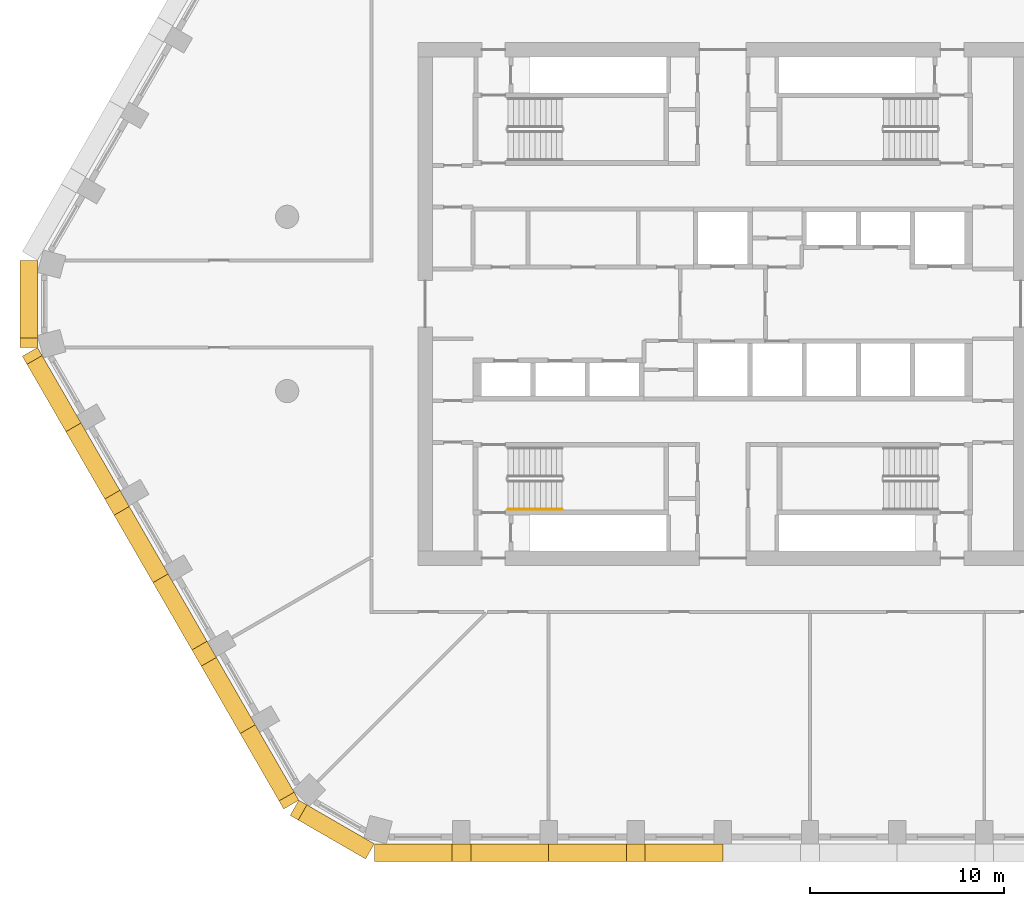
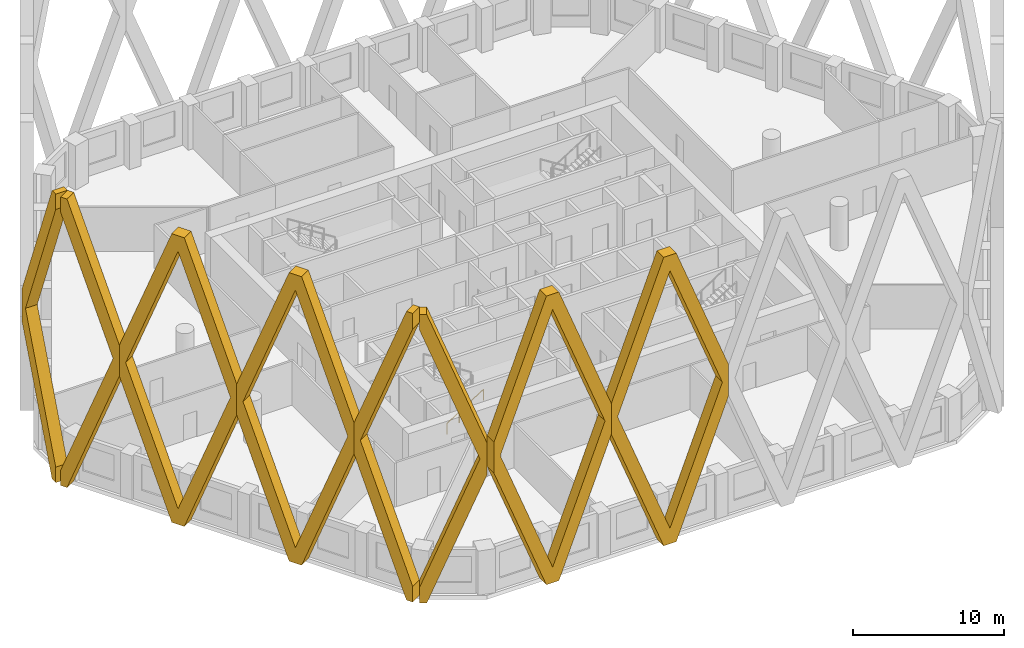
# One storey, part 9 of 17: 8 coverings, 1 railing.
"""IFC4 building model written with IfcOpenShell, lengths in metres."""

from ifc_helpers import new_model, si_unit, direction, frame, origin, origin_2d, place, context, subcontext, project, spatial, polyline, circle, outline, extrude, material, type_object, element, save


model = new_model("IFC4")

# Units and contexts
model_context = context("Model", 3, precision=1e-05, world=origin(), true_north=direction((0.0, 1.0)))
body_context = subcontext(model_context, "Body", "Model", "MODEL_VIEW")
ifc_project = project(units=[si_unit("LENGTHUNIT", "METRE"), si_unit("AREAUNIT", "SQUARE_METRE"), si_unit("VOLUMEUNIT", "CUBIC_METRE"), si_unit("PLANEANGLEUNIT", "RADIAN"), si_unit("MASSUNIT", "GRAM", prefix="KILO")], contexts=[model_context])

# Site, building, storey
site_placement = place(None, origin())
site = spatial("IfcSite", under=ifc_project, at=site_placement, CompositionType="ELEMENT")
building_placement = place(site_placement, origin())
building = spatial("IfcBuilding", under=site, at=building_placement, Name="Dhurran Vertical Campus", CompositionType="ELEMENT")
storey_placement = place(building_placement, frame((0.0, 0.0, 156.0)))
storey = spatial("IfcBuildingStorey", under=building, at=storey_placement, Name="L38", CompositionType="ELEMENT", Elevation=156.0)

# Coverings
ifc_material_1 = material(Name="Precast concrete C50/60", Category="concrete")
covering_type = type_object("IfcCoveringType", Name="Folded precast fin lattice diamond", PredefinedType="USERDEFINED", material=ifc_material_1)
for number, where, z_axis, x_axis, name in (
    (1, (-18.0, -27.8828125, 0.0), (0.0, -1.0, 0.0), (1.0, 0.0, 0.0), "FN1 L38.001"),
    (2, (-9.0, -27.8828125, 0.0), (0.0, -1.0, 0.0), (1.0, 0.0, 0.0), "FN1 L38.002"),
):
    element("IfcCovering", number, at=place(storey_placement, frame(where, z_axis=z_axis, x_axis=x_axis)), inside=storey, type_object=covering_type, Name=name, ObjectType="FIN", PredefinedType="USERDEFINED", context=body_context, shape_type="SweptSolid", body=[
        extrude(outline(polyline([(9.0, 12.95361328125), (9.0, 10.4462890625), (4.982177734375, 0.0), (4.017822265625, 0.0), (0.0, 10.4462890625), (0.0, 12.95361328125), (4.017822265625, 23.39990234375), (4.982177734375, 23.39990234375), (9.0, 12.95361328125)]), holes=[polyline([(8.517822265625, 11.699951171875), (4.5, 22.146484375), (0.482177734375, 11.699951171875), (4.5, 1.253662109375), (8.517822265625, 11.699951171875)])]), origin(), (0.0, 0.0, 1.0), 0.89990234375),
    ])
covering_1_placement = place(storey_placement, frame((-35.397216796875, 2.25, 0.0), z_axis=(-1.0, 0.0, 0.0), x_axis=(0.0, -1.0, 0.0)))
element("IfcCovering", 3, at=covering_1_placement, inside=storey, type_object=covering_type, Name="FN1 L38.024", ObjectType="FIN", PredefinedType="USERDEFINED", context=body_context, shape_type="SweptSolid", body=[
    extrude(outline(polyline([(4.017822265625, 0.0), (0.0, 10.4462890625), (0.0, 12.95361328125), (4.017822265625, 23.39990234375), (4.5, 23.39990234375), (4.5, 22.146484375), (0.482177734375, 11.699951171875), (4.5, 1.253662109375), (4.5, 0.0), (4.017822265625, 0.0)])), origin(), (0.0, 0.0, 1.0), 0.89990234375),
])
covering_2_placement = place(storey_placement, frame((-35.397216796875, -2.25, 0.0), z_axis=(-0.866013897511, -0.50001992892, 0.0), x_axis=(0.50001992892, -0.866013897511, 0.0)))
element("IfcCovering", 4, at=covering_2_placement, inside=storey, type_object=covering_type, Name="FN1 L38.025", ObjectType="FIN", PredefinedType="USERDEFINED", context=body_context, shape_type="SweptSolid", body=[
    extrude(outline(polyline([(4.5, 10.4462890625), (0.482177734375, 0.0), (0.0, 0.0), (0.0, 1.253662109375), (4.017822265625, 11.699951171875), (0.0, 22.146484375), (0.0, 23.39990234375), (0.482177734375, 23.39990234375), (4.5, 12.95361328125), (4.5, 10.4462890625)])), origin(), (0.0, 0.0, 1.0), 0.89990234375),
])
for number, where, z_axis, x_axis, name in (
    (5, (-33.147216796875, -6.147216796875, 0.0), (-0.866013897511, -0.50001992892, 0.0), (0.50001992892, -0.866013897511, 0.0), "FN1 L38.026"),
    (6, (-28.647216796875, -13.94140625, 0.0), (-0.866013897511, -0.50001992892, 0.0), (0.50001992892, -0.866013897511, 0.0), "FN1 L38.027"),
):
    element("IfcCovering", number, at=place(storey_placement, frame(where, z_axis=z_axis, x_axis=x_axis)), inside=storey, type_object=covering_type, Name=name, ObjectType="FIN", PredefinedType="USERDEFINED", context=body_context, shape_type="SweptSolid", body=[
        extrude(outline(polyline([(9.0, 12.95361328125), (9.0, 10.4462890625), (4.982177734375, 0.0), (4.017822265625, 0.0), (0.0, 10.4462890625), (0.0, 12.95361328125), (4.017822265625, 23.39990234375), (4.982177734375, 23.39990234375), (9.0, 12.95361328125)]), holes=[polyline([(8.517822265625, 11.699951171875), (4.5, 22.146484375), (0.482177734375, 11.699951171875), (4.5, 1.253662109375), (8.517822265625, 11.699951171875)])]), origin(), (0.0, 0.0, 1.0), 0.89990234375),
    ])
covering_3_placement = place(storey_placement, frame((-24.147216796875, -21.735595703125, 0.0), z_axis=(-0.866013897511, -0.50001992892, 0.0), x_axis=(0.50001992892, -0.866013897511, 0.0)))
element("IfcCovering", 7, at=covering_3_placement, inside=storey, type_object=covering_type, Name="FN1 L38.028", ObjectType="FIN", PredefinedType="USERDEFINED", context=body_context, shape_type="SweptSolid", body=[
    extrude(outline(polyline([(4.017822265625, 0.0), (0.0, 10.4462890625), (0.0, 12.95361328125), (4.017822265625, 23.39990234375), (4.5, 23.39990234375), (4.5, 22.146484375), (0.482177734375, 11.699951171875), (4.5, 1.253662109375), (4.5, 0.0), (4.017822265625, 0.0)])), origin(), (0.0, 0.0, 1.0), 0.89990234375),
])
covering_4_placement = place(storey_placement, frame((-21.897216796875, -25.6328125, 0.0), z_axis=(-0.50001992892, -0.866013897511, 0.0), x_axis=(0.866013897511, -0.50001992892, 0.0)))
element("IfcCovering", 8, at=covering_4_placement, inside=storey, type_object=covering_type, Name="FN1 L38.029", ObjectType="FIN", PredefinedType="USERDEFINED", context=body_context, shape_type="SweptSolid", body=[
    extrude(outline(polyline([(4.5, 10.4462890625), (0.482177734375, 0.0), (0.0, 0.0), (0.0, 1.253662109375), (4.017822265625, 11.699951171875), (0.0, 22.146484375), (0.0, 23.39990234375), (0.482177734375, 23.39990234375), (4.5, 12.95361328125), (4.5, 10.4462890625)])), origin(), (0.0, 0.0, 1.0), 0.89990234375),
])

# Railing
ifc_material_2 = material(Name="Stainless steel handrail", Category="steel")
railing_type = type_object("IfcRailingType", Name="co-RL-HANDRAIL-900", PredefinedType="HANDRAIL", material=ifc_material_2)
railing_placement = place(storey_placement, frame((-11.10009765625, -10.60009765625, 0.17724609375)))
element("IfcRailing", 9, at=railing_placement, inside=storey, type_object=railing_type, Name="L38 ST3 stair handrail 1", PredefinedType="HANDRAIL", context=body_context, shape_type="SweptSolid", body=[
    extrude(circle(Radius=0.02392578125, at=origin_2d()), frame((0.0, 0.0, 0.8759765625), z_axis=(0.844908973607, 0.0, 0.534910110503), x_axis=(0.0, 1.0, 0.0)), (0.0, 0.0, 1.0), 3.31396484375),
    extrude(circle(Radius=0.02099609375, at=origin_2d()), origin(), (0.0, 0.0, 1.0), 0.851806640625),
    extrude(circle(Radius=0.02099609375, at=origin_2d()), frame((0.933349609375, 0.0, 0.5908203125)), (0.0, 0.0, 1.0), 0.851806640625),
    extrude(circle(Radius=0.02099609375, at=origin_2d()), frame((1.86669921875, 0.0, 1.181884765625)), (0.0, 0.0, 1.0), 0.851806640625),
    extrude(circle(Radius=0.02099609375, at=origin_2d()), frame((2.800048828125, 0.0, 1.772705078125)), (0.0, 0.0, 1.0), 0.851806640625),
])

save(model, "model.ifc")
